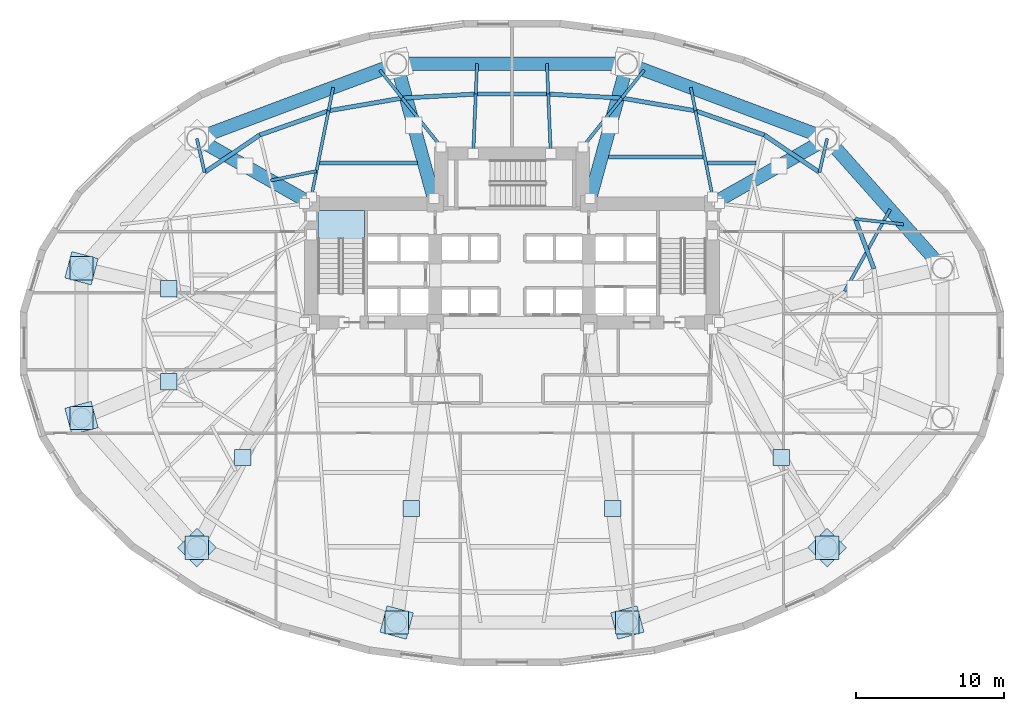
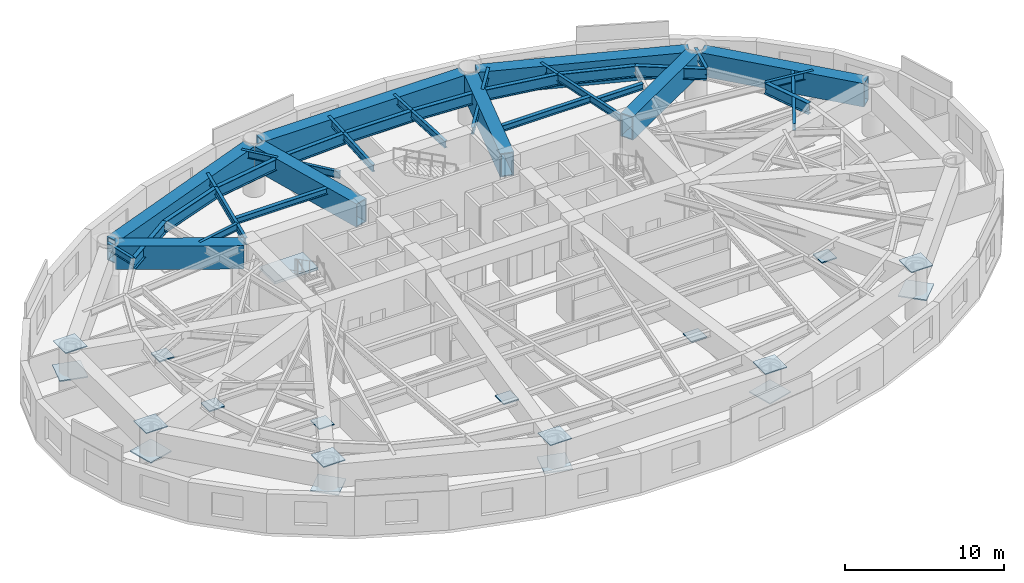
# One storey, part 3 of 14: 38 beams, 18 plates, 1 slab, 1 element without a shape of its own.
"""IFC4 building model written with IfcOpenShell, lengths in metres."""

import ifcopenshell
import ifcopenshell.guid

model = None  # the IFC model being written
_history = None  # IfcOwnerHistory: only IFC2X3 demands one
_inside = {}  # id of a spatial element -> (the spatial element, [elements in it])
_under = {}  # id of a project, library or spatial element -> (it, [spatial elements below it])
_declared = {}  # id of a project -> (the project, [libraries it declares])
_typed = {}  # id of a type object -> (the type object, [elements of that type])
_made_of = {}  # id of a material, layer set ... -> (it, [elements and type objects made of it])


def new_model(schema):
    """Start an empty IFC model of exactly this schema.

    Asked for "IFC4X3", IfcOpenShell would pick the latest addendum, in which some entities
    have other attributes; the version numbers below select the first issue.
    IFC2X3 requires an IfcOwnerHistory on every rooted entity: one is made here for all.
    """
    global model, _history
    if schema == "IFC4X3":
        model = ifcopenshell.file(schema_version=(4, 3, 0, 0))
    else:
        model = ifcopenshell.file(schema=schema)
    _inside.clear()
    _under.clear()
    _declared.clear()
    _typed.clear()
    _made_of.clear()
    _history = None
    if model.schema == "IFC2X3":
        org = make("IfcOrganization", Name="unknown")
        user = make(
            "IfcPersonAndOrganization",
            ThePerson=make("IfcPerson", FamilyName="unknown"),
            TheOrganization=org,
        )
        app = make(
            "IfcApplication",
            ApplicationDeveloper=org,
            Version="unknown",
            ApplicationFullName="unknown",
            ApplicationIdentifier="unknown",
        )
        _history = make(
            "IfcOwnerHistory",
            OwningUser=user,
            OwningApplication=app,
            ChangeAction="ADDED",
            CreationDate=0,
        )
    return model


def make(cls, **values):
    """One entity of the class cls with the attributes given. An attribute that is None is left unset."""
    return model.create_entity(
        cls, **{name: value for name, value in values.items() if value is not None}
    )


def rooted(cls, **values):
    """An entity with a GlobalId (a new one), such as an element, a storey or a relation."""
    return make(cls, GlobalId=ifcopenshell.guid.new(), OwnerHistory=_history, **values)


def si_unit(unit_type, name, prefix=None):
    """IfcSIUnit, for example si_unit("LENGTHUNIT", "METRE", prefix="MILLI")."""
    return make("IfcSIUnit", UnitType=unit_type, Prefix=prefix, Name=name)


def assignment(units):
    """IfcUnitAssignment: the units of a project."""
    return None if units is None else make("IfcUnitAssignment", Units=units)


def point(xyz):
    """IfcCartesianPoint."""
    return None if xyz is None else make("IfcCartesianPoint", Coordinates=xyz)


def direction(xyz):
    """IfcDirection."""
    return None if xyz is None else make("IfcDirection", DirectionRatios=xyz)


def frame(location, z_axis=None, x_axis=None):
    """IfcAxis2Placement3D, a coordinate frame: its origin and axes. An axis left out is left unset."""
    return make(
        "IfcAxis2Placement3D",
        Location=point(location),
        Axis=direction(z_axis),
        RefDirection=direction(x_axis),
    )


def frame_2d(location, x_axis=None):
    """IfcAxis2Placement2D, a coordinate frame in the plane: its origin and x axis."""
    return make(
        "IfcAxis2Placement2D", Location=point(location), RefDirection=direction(x_axis)
    )


def origin():
    """The frame at (0, 0, 0) with its axes left unset."""
    return frame((0.0, 0.0, 0.0))


def origin_2d():
    """The frame at (0, 0) in the plane with its x axis left unset."""
    return frame_2d((0.0, 0.0))


def place(relative_to, where):
    """IfcLocalPlacement: puts the frame where relative to a parent placement (None: the world)."""
    return make(
        "IfcLocalPlacement", PlacementRelTo=relative_to, RelativePlacement=where
    )


def context(
    kind, dimensions, precision=None, world=None, true_north=None, identifier=None
):
    """IfcGeometricRepresentationContext, for example the 3D "Model" context."""
    return make(
        "IfcGeometricRepresentationContext",
        ContextIdentifier=identifier,
        ContextType=kind,
        CoordinateSpaceDimension=dimensions,
        Precision=precision,
        WorldCoordinateSystem=world,
        TrueNorth=true_north,
    )


def subcontext(parent, identifier, kind, view, scale=None):
    """IfcGeometricRepresentationSubContext, for example "Body" below "Model"."""
    return make(
        "IfcGeometricRepresentationSubContext",
        ContextIdentifier=identifier,
        ContextType=kind,
        ParentContext=parent,
        TargetScale=scale,
        TargetView=view,
    )


def project(units=None, contexts=None):
    """IfcProject with its units and contexts."""
    return rooted(
        "IfcProject",
        Name="project",
        RepresentationContexts=contexts,
        UnitsInContext=assignment(units),
    )


def spatial(cls, under=None, at=None, **own):
    """A site, building, storey or space (cls), placed at a placement, below another one or the project."""
    s = rooted(cls, ObjectPlacement=at, **own)
    if under is not None:
        _under.setdefault(under.id(), (under, []))[1].append(s)
    return s


def polyline(points):
    """IfcPolyline through the points."""
    return make("IfcPolyline", Points=[point(p) for p in points])


def profile(cls, at=None, kind="AREA", **sizes):
    """A parametric profile (cls). Its sizes go by their IFC names, for example OverallWidth=200.0."""
    return make(cls, ProfileType=kind, Position=at, **sizes)


def rectangle(**sizes):
    """IfcRectangleProfileDef."""
    return profile("IfcRectangleProfileDef", **sizes)


def hollow_rectangle(**sizes):
    """IfcRectangleHollowProfileDef."""
    return profile("IfcRectangleHollowProfileDef", **sizes)


def i_section(**sizes):
    """IfcIShapeProfileDef."""
    return profile("IfcIShapeProfileDef", **sizes)


def outline(outer, holes=None, kind="AREA"):
    """IfcArbitraryClosedProfileDef: a profile drawn as a closed curve; with holes, ...WithVoids."""
    if holes is None:
        return make("IfcArbitraryClosedProfileDef", ProfileType=kind, OuterCurve=outer)
    return make(
        "IfcArbitraryProfileDefWithVoids",
        ProfileType=kind,
        OuterCurve=outer,
        InnerCurves=holes,
    )


def extrude(swept, where, along, depth):
    """IfcExtrudedAreaSolid: the profile swept, set in the frame where, extruded along a direction by depth."""
    return make(
        "IfcExtrudedAreaSolid",
        SweptArea=swept,
        Position=where,
        ExtrudedDirection=direction(along),
        Depth=depth,
    )


def shape(context_of_items, identifier, shape_type, items):
    """IfcShapeRepresentation: the items that make up one representation, for example the "Body"."""
    return make(
        "IfcShapeRepresentation",
        ContextOfItems=context_of_items,
        RepresentationIdentifier=identifier,
        RepresentationType=shape_type,
        Items=items,
    )


def material(Name=None, Category=None):
    """IfcMaterial."""
    return make("IfcMaterial", Name=Name, Category=Category)


def layer(
    of_material, thickness, ventilated=None, Name=None, Category=None, Priority=None
):
    """IfcMaterialLayer: one layer of a wall or slab, of a material (None: an air gap)."""
    return make(
        "IfcMaterialLayer",
        Material=of_material,
        LayerThickness=thickness,
        IsVentilated=ventilated,
        Name=Name,
        Category=Category,
        Priority=Priority,
    )


def layer_set(layers, Name=None):
    """IfcMaterialLayerSet."""
    return make("IfcMaterialLayerSet", MaterialLayers=layers, LayerSetName=Name)


def material_profile(
    of_material, cross_section, Name=None, Category=None, Priority=None
):
    """IfcMaterialProfile: a cross section and its material."""
    return make(
        "IfcMaterialProfile",
        Name=Name,
        Material=of_material,
        Profile=cross_section,
        Priority=Priority,
        Category=Category,
    )


def profile_set(profiles, Name=None, composite=None):
    """IfcMaterialProfileSet."""
    return make(
        "IfcMaterialProfileSet",
        Name=Name,
        MaterialProfiles=profiles,
        CompositeProfile=composite,
    )


def made_of(thing, what):
    """Note that an element or type object is made of a material, layer set ...; save() writes the relation."""
    if what is not None:
        _made_of.setdefault(what.id(), (what, []))[1].append(thing)
    return thing


def type_object(cls, material=None, **own):
    """A type object (cls), such as IfcWallType, which elements share."""
    return made_of(rooted(cls, **own), material)


def element(
    cls,
    number,
    at=None,
    inside=None,
    cuts=None,
    type_object=None,
    material=None,
    context=None,
    identifier="Body",
    shape_type=None,
    held_by="IfcProductDefinitionShape",
    body=None,
    shapes=None,
    **own,
):
    """One element of the class cls, such as IfcWall. Its Tag is "e" and its number.

    at: its placement. inside: the storey or other place that contains it. cuts: it is an
    opening in that element (IfcRelVoidsElement). A single representation is given by context,
    identifier, shape_type and body (its items); several are given by shapes. held_by: the class
    of the entity that holds the representations. save() writes the other relations.
    """
    e = rooted(cls, Tag="e%d" % number, ObjectPlacement=at, **own)
    if body is not None:
        shapes = [shape(context, identifier, shape_type, body)]
    if shapes is not None:
        e.Representation = make(held_by, Representations=shapes)
    if inside is not None:
        _inside.setdefault(inside.id(), (inside, []))[1].append(e)
    if cuts is not None:
        rooted(
            "IfcRelVoidsElement", RelatingBuildingElement=cuts, RelatedOpeningElement=e
        )
    if type_object is not None:
        _typed.setdefault(type_object.id(), (type_object, []))[1].append(e)
    return made_of(e, material)


def aggregate(whole, parts):
    """IfcRelAggregates: a whole, such as a stair, and the parts it consists of."""
    return rooted("IfcRelAggregates", RelatingObject=whole, RelatedObjects=parts)


def save(model, path):
    """Write the relations noted so far, then the file.

    IfcRelAggregates (storeys below a building ...), IfcRelContainedInSpatialStructure (elements
    in a storey), IfcRelDefinesByType, IfcRelAssociatesMaterial and IfcRelDeclares: one each for
    every whole, place, type object, material and project.
    """
    for whole, parts in _under.values():
        aggregate(whole, parts)
    for where, things in _inside.values():
        rooted(
            "IfcRelContainedInSpatialStructure",
            RelatedElements=things,
            RelatingStructure=where,
        )
    for kind, things in _typed.values():
        rooted("IfcRelDefinesByType", RelatedObjects=things, RelatingType=kind)
    for what, things in _made_of.values():
        rooted("IfcRelAssociatesMaterial", RelatedObjects=things, RelatingMaterial=what)
    for by, libraries in _declared.values():
        rooted("IfcRelDeclares", RelatingContext=by, RelatedDefinitions=libraries)
    model.write(path)


model = new_model("IFC4")

# Units and contexts
model_context = context("Model", 3, precision=1e-05, world=origin(), true_north=direction((0.0, 1.0)))
body_context = subcontext(model_context, "Body", "Model", "MODEL_VIEW")
ifc_project = project(units=[si_unit("LENGTHUNIT", "METRE"), si_unit("AREAUNIT", "SQUARE_METRE"), si_unit("VOLUMEUNIT", "CUBIC_METRE"), si_unit("PLANEANGLEUNIT", "RADIAN"), si_unit("MASSUNIT", "GRAM", prefix="KILO")], contexts=[model_context])

# Site, building, storey
site_placement = place(None, origin())
site = spatial("IfcSite", under=ifc_project, at=site_placement, CompositionType="ELEMENT")
building_placement = place(site_placement, origin())
building = spatial("IfcBuilding", under=site, at=building_placement, Name="Keldmark Tower", CompositionType="ELEMENT")
storey_placement = place(building_placement, frame((0.0, 0.0, 22.800048828125)))
storey = spatial("IfcBuildingStorey", under=building, at=storey_placement, Name="L05", CompositionType="ELEMENT", Elevation=22.800048828125)

# Beams
ifc_material_1 = material(Name="Steel ASTM A992 Grade 50", Category="steel")
ifc_material_profile_1 = material_profile(ifc_material_1, i_section(OverallWidth=0.280029296875, OverallDepth=0.462890625, WebThickness=0.0107421875, FlangeThickness=0.017333984375, at=origin_2d()), Name="W18X76")
ifc_profile_set_1 = profile_set([ifc_material_profile_1], Name="Steel ASTM A992 Grade 50")
beam_type_1 = type_object("IfcBeamType", Name="Composite Floor Joist W18X76", PredefinedType="JOIST", material=ifc_profile_set_1)
beam_1_placement = place(storey_placement, frame((-13.041748046875, 12.199951171875, 3.66845703125), z_axis=(1.0, 0.0, 0.0), x_axis=(0.0, 1.0, 0.0)))
element("IfcBeam", 1, at=beam_1_placement, inside=storey, type_object=beam_type_1, Name="L05 Composite Floor Joist J24", PredefinedType="JOIST", context=body_context, shape_type="SweptSolid", body=[
    extrude(i_section(OverallWidth=0.280029296875, OverallDepth=0.462890625, WebThickness=0.0107421875, FlangeThickness=0.017333984375, at=origin_2d()), origin(), (0.0, 0.0, 1.0), 6.625244140625),
])
beam_2_placement = place(storey_placement, frame((6.5322265625, 12.6201171875, 3.66845703125), z_axis=(1.0, 0.0, 0.0), x_axis=(0.0, 1.0, 0.0)))
element("IfcBeam", 2, at=beam_2_placement, inside=storey, type_object=beam_type_1, Name="L05 Composite Floor Joist J25", PredefinedType="JOIST", context=body_context, shape_type="SweptSolid", body=[
    extrude(i_section(OverallWidth=0.280029296875, OverallDepth=0.462890625, WebThickness=0.0107421875, FlangeThickness=0.017333984375, at=origin_2d()), origin(), (0.0, 0.0, 1.0), 6.42529296875),
])
beam_3_placement = place(storey_placement, frame((13.23779296875, 12.199951171875, 3.66845703125), z_axis=(1.0, 0.0, 0.0), x_axis=(0.0, 1.0, 0.0)))
element("IfcBeam", 3, at=beam_3_placement, inside=storey, type_object=beam_type_1, Name="L05 Composite Floor Joist J26", PredefinedType="JOIST", context=body_context, shape_type="SweptSolid", body=[
    extrude(i_section(OverallWidth=0.280029296875, OverallDepth=0.462890625, WebThickness=0.0107421875, FlangeThickness=0.017333984375, at=origin_2d()), origin(), (0.0, 0.0, 1.0), 3.3037109375),
])
ifc_material_2 = material(Name="Steel ASTM A572 Grade 50", Category="steel")
ifc_material_profile_2 = material_profile(ifc_material_2, hollow_rectangle(XDim=0.89990234375, YDim=1.800048828125, WallThickness=0.074951171875, at=origin_2d()), Name="TBOX1800X900X75")
ifc_profile_set_2 = profile_set([ifc_material_profile_2], Name="Steel ASTM A572 Grade 50")
beam_type_2 = type_object("IfcBeamType", Name="Perimeter Transfer Box Girder 1800x900", PredefinedType="USERDEFINED", material=ifc_profile_set_2)
beam_4_placement = place(storey_placement, frame((28.871826171875, 5.4091796875, 3.0), z_axis=(-0.66464984112, 0.747154996436, 0.0), x_axis=(-0.747154996436, -0.66464984112, 0.0)))
element("IfcBeam", 4, at=beam_4_placement, inside=storey, type_object=beam_type_2, Name="L05 Perimeter Transfer Ring Box Girder TRING-01", ObjectType="TRANSFER GIRDER", PredefinedType="USERDEFINED", context=body_context, shape_type="SweptSolid", body=[
    extrude(hollow_rectangle(XDim=0.89990234375, YDim=1.800048828125, WallThickness=0.074951171875, at=origin_2d()), origin(), (0.0, 0.0, 1.0), 10.85986328125),
])
beam_5_placement = place(storey_placement, frame((20.93310546875, 14.01708984375, 3.0), z_axis=(-0.936417954382, 0.350886612329, 0.0), x_axis=(-0.350886612329, -0.936417954382, 0.0)))
element("IfcBeam", 5, at=beam_5_placement, inside=storey, type_object=beam_type_2, Name="L05 Perimeter Transfer Ring Box Girder TRING-02", ObjectType="TRANSFER GIRDER", PredefinedType="USERDEFINED", context=body_context, shape_type="SweptSolid", body=[
    extrude(hollow_rectangle(XDim=0.89990234375, YDim=1.800048828125, WallThickness=0.074951171875, at=origin_2d()), origin(), (0.0, 0.0, 1.0), 13.557373046875),
])
beam_6_placement = place(storey_placement, frame((7.3662109375, 18.93212890625, 3.0), z_axis=(-1.0, 0.0, 0.0), x_axis=(0.0, -1.0, 0.0)))
element("IfcBeam", 6, at=beam_6_placement, inside=storey, type_object=beam_type_2, Name="L05 Perimeter Transfer Ring Box Girder TRING-03", ObjectType="TRANSFER GIRDER", PredefinedType="USERDEFINED", context=body_context, shape_type="SweptSolid", body=[
    extrude(hollow_rectangle(XDim=0.89990234375, YDim=1.800048828125, WallThickness=0.074951171875, at=origin_2d()), origin(), (0.0, 0.0, 1.0), 14.732421875),
])
beam_7_placement = place(storey_placement, frame((-8.23779296875, 18.774169921875, 3.0), z_axis=(-0.936417954382, -0.350886612329, 0.0), x_axis=(0.350886612329, -0.936417954382, 0.0)))
element("IfcBeam", 7, at=beam_7_placement, inside=storey, type_object=beam_type_2, Name="L05 Perimeter Transfer Ring Box Girder TRING-04", ObjectType="TRANSFER GIRDER", PredefinedType="USERDEFINED", context=body_context, shape_type="SweptSolid", body=[
    extrude(hollow_rectangle(XDim=0.89990234375, YDim=1.800048828125, WallThickness=0.074951171875, at=origin_2d()), origin(), (0.0, 0.0, 1.0), 13.557373046875),
])
beam_8_placement = place(storey_placement, frame((20.96337890625, 13.636962890625, 3.0), z_axis=(-0.869293918493, -0.494295542434, 0.0), x_axis=(0.494295542434, -0.869293918493, 0.0)))
element("IfcBeam", 8, at=beam_8_placement, inside=storey, type_object=beam_type_2, Name="L05 Primary Transfer Box Girder TB-TC-E4", ObjectType="TRANSFER GIRDER", PredefinedType="USERDEFINED", context=body_context, shape_type="SweptSolid", body=[
    extrude(hollow_rectangle(XDim=0.89990234375, YDim=1.800048828125, WallThickness=0.074951171875, at=origin_2d()), origin(), (0.0, 0.0, 1.0), 8.120361328125),
])
for number, where, z_axis, x_axis, name in (
    (9, (7.696533203125, 18.498291015625, 3.0), (-0.265960165124, -0.963984019871, 0.0), (0.963984019871, -0.265960165124, 0.0), "L05 Primary Transfer Box Girder TB-TC-N2"),
    (10, (-7.696533203125, 18.498291015625, 3.0), (0.265960165124, -0.963984019871, 0.0), (0.963984019871, 0.265960165124, 0.0), "L05 Primary Transfer Box Girder TB-TC-N1"),
):
    element("IfcBeam", number, at=place(storey_placement, frame(where, z_axis=z_axis, x_axis=x_axis)), inside=storey, type_object=beam_type_2, Name=name, ObjectType="TRANSFER GIRDER", PredefinedType="USERDEFINED", context=body_context, shape_type="SweptSolid", body=[
        extrude(hollow_rectangle(XDim=0.89990234375, YDim=1.800048828125, WallThickness=0.074951171875, at=origin_2d()), origin(), (0.0, 0.0, 1.0), 9.036376953125),
    ])
beam_9_placement = place(storey_placement, frame((-20.96337890625, 13.636962890625, 3.0), z_axis=(0.869293918493, -0.494295542434, 0.0), x_axis=(0.494295542434, 0.869293918493, 0.0)))
element("IfcBeam", 11, at=beam_9_placement, inside=storey, type_object=beam_type_2, Name="L05 Primary Transfer Box Girder TB-TC-W4", ObjectType="TRANSFER GIRDER", PredefinedType="USERDEFINED", context=body_context, shape_type="SweptSolid", body=[
    extrude(hollow_rectangle(XDim=0.89990234375, YDim=1.800048828125, WallThickness=0.074951171875, at=origin_2d()), origin(), (0.0, 0.0, 1.0), 8.120361328125),
])
ifc_material_3 = material(Name="Steel ASTM A992 Grade 50", Category="steel")
ifc_material_profile_3 = material_profile(ifc_material_3, i_section(OverallWidth=0.2099609375, OverallDepth=0.537109375, WebThickness=0.010986328125, FlangeThickness=0.017333984375, at=origin_2d()), Name="W21X68")
ifc_profile_set_3 = profile_set([ifc_material_profile_3], Name="Steel ASTM A992 Grade 50")
beam_type_3 = type_object("IfcBeamType", Name="Radial Tie Girder W21X68", PredefinedType="BEAM", material=ifc_profile_set_3)
beam_10_placement = place(storey_placement, frame((25.623779296875, 9.060302734375, 3.63134765625), z_axis=(-0.485025529819, -0.874499991666, 0.0), x_axis=(0.874499991666, -0.485025529819, 0.0)))
element("IfcBeam", 12, at=beam_10_placement, inside=storey, type_object=beam_type_3, Name="L05 Framing Pin Header PH-002", PredefinedType="BEAM", context=body_context, shape_type="SweptSolid", body=[
    extrude(i_section(OverallWidth=0.2099609375, OverallDepth=0.537109375, WebThickness=0.010986328125, FlangeThickness=0.017333984375, at=origin_2d()), origin(), (0.0, 0.0, 1.0), 6.346923828125),
])
beam_11_placement = place(storey_placement, frame((23.256103515625, 8.41455078125, 3.63134765625), z_axis=(0.993735334561, -0.111759048155, 0.0), x_axis=(0.111759048155, 0.993735334561, 0.0)))
element("IfcBeam", 13, at=beam_11_placement, inside=storey, type_object=beam_type_3, Name="L05 Podium Overhang Tie Girder RT-03X", PredefinedType="BEAM", context=body_context, shape_type="SweptSolid", body=[
    extrude(i_section(OverallWidth=0.2099609375, OverallDepth=0.537109375, WebThickness=0.010986328125, FlangeThickness=0.017333984375, at=origin_2d()), origin(), (0.0, 0.0, 1.0), 3.289794921875),
])
beam_12_placement = place(storey_placement, frame((21.3544921875, 13.859375, 3.63134765625), z_axis=(-0.222768270386, -0.974871426245, 0.0), x_axis=(0.974871426245, -0.222768270386, 0.0)))
element("IfcBeam", 14, at=beam_12_placement, inside=storey, type_object=beam_type_3, Name="L05 Perimeter Column Bracket RT-04", PredefinedType="BEAM", context=body_context, shape_type="SweptSolid", body=[
    extrude(i_section(OverallWidth=0.2099609375, OverallDepth=0.537109375, WebThickness=0.010986328125, FlangeThickness=0.017333984375, at=origin_2d()), origin(), (0.0, 0.0, 1.0), 2.34521484375),
])
beam_13_placement = place(storey_placement, frame((13.60009765625, 9.89990234375, 3.63134765625), z_axis=(-0.196257960744, 0.980552299903, 0.0), x_axis=(-0.980552299903, -0.196257960744, 0.0)))
element("IfcBeam", 15, at=beam_13_placement, inside=storey, type_object=beam_type_3, Name="L05 Perimeter Radial Tie Girder RT-06", PredefinedType="BEAM", context=body_context, shape_type="SweptSolid", body=[
    extrude(i_section(OverallWidth=0.2099609375, OverallDepth=0.537109375, WebThickness=0.010986328125, FlangeThickness=0.017333984375, at=origin_2d()), origin(), (0.0, 0.0, 1.0), 5.958740234375),
])
beam_14_placement = place(storey_placement, frame((12.4306640625, 15.74267578125, 3.63134765625), z_axis=(-0.196203610703, 0.98056317652, 0.0), x_axis=(-0.98056317652, -0.196203610703, 0.0)))
element("IfcBeam", 16, at=beam_14_placement, inside=storey, type_object=beam_type_3, Name="L05 Podium Overhang Tie Girder RT-06X", PredefinedType="BEAM", context=body_context, shape_type="SweptSolid", body=[
    extrude(i_section(OverallWidth=0.2099609375, OverallDepth=0.537109375, WebThickness=0.010986328125, FlangeThickness=0.017333984375, at=origin_2d()), origin(), (0.0, 0.0, 1.0), 1.610107421875),
])
beam_15_placement = place(storey_placement, frame((4.800048828125, 13.300048828125, 3.63134765625), z_axis=(0.624392193617, 0.781110996306, 0.0), x_axis=(-0.781110996306, 0.624392193617, 0.0)))
element("IfcBeam", 17, at=beam_15_placement, inside=storey, type_object=beam_type_3, Name="L05 Perimeter Radial Tie Girder RT-07", PredefinedType="BEAM", context=body_context, shape_type="SweptSolid", body=[
    extrude(i_section(OverallWidth=0.2099609375, OverallDepth=0.537109375, WebThickness=0.010986328125, FlangeThickness=0.017333984375, at=origin_2d()), origin(), (0.0, 0.0, 1.0), 4.22802734375),
])
beam_16_placement = place(storey_placement, frame((7.43994140625, 16.6025390625, 3.63134765625), z_axis=(0.62441365694, 0.78109383881, 0.0), x_axis=(-0.78109383881, 0.62441365694, 0.0)))
element("IfcBeam", 18, at=beam_16_placement, inside=storey, type_object=beam_type_3, Name="L05 Podium Overhang Tie Girder RT-07X", PredefinedType="BEAM", context=body_context, shape_type="SweptSolid", body=[
    extrude(i_section(OverallWidth=0.2099609375, OverallDepth=0.537109375, WebThickness=0.010986328125, FlangeThickness=0.017333984375, at=origin_2d()), origin(), (0.0, 0.0, 1.0), 2.433837890625),
])
beam_17_placement = place(storey_placement, frame((2.625, 12.85009765625, 3.63134765625), z_axis=(-0.04211192099, 0.999112899582, 0.0), x_axis=(-0.999112899582, -0.04211192099, 0.0)))
element("IfcBeam", 19, at=beam_17_placement, inside=storey, type_object=beam_type_3, Name="L05 Perimeter Radial Tie Girder RT-08", PredefinedType="BEAM", context=body_context, shape_type="SweptSolid", body=[
    extrude(i_section(OverallWidth=0.2099609375, OverallDepth=0.537109375, WebThickness=0.010986328125, FlangeThickness=0.017333984375, at=origin_2d()), origin(), (0.0, 0.0, 1.0), 4.029296875),
])
beam_18_placement = place(storey_placement, frame((2.455322265625, 16.875732421875, 3.63134765625), z_axis=(-0.041990712618, 0.999118001066, 0.0), x_axis=(-0.999118001066, -0.041990712618, 0.0)))
element("IfcBeam", 20, at=beam_18_placement, inside=storey, type_object=beam_type_3, Name="L05 Podium Overhang Tie Girder RT-08X", PredefinedType="BEAM", context=body_context, shape_type="SweptSolid", body=[
    extrude(i_section(OverallWidth=0.2099609375, OverallDepth=0.537109375, WebThickness=0.010986328125, FlangeThickness=0.017333984375, at=origin_2d()), origin(), (0.0, 0.0, 1.0), 2.05810546875),
])
beam_19_placement = place(storey_placement, frame((-2.625, 12.85009765625, 3.63134765625), z_axis=(0.04211192099, 0.999112899582, 0.0), x_axis=(-0.999112899582, 0.04211192099, 0.0)))
element("IfcBeam", 21, at=beam_19_placement, inside=storey, type_object=beam_type_3, Name="L05 Perimeter Radial Tie Girder RT-09", PredefinedType="BEAM", context=body_context, shape_type="SweptSolid", body=[
    extrude(i_section(OverallWidth=0.2099609375, OverallDepth=0.537109375, WebThickness=0.010986328125, FlangeThickness=0.017333984375, at=origin_2d()), origin(), (0.0, 0.0, 1.0), 4.029296875),
])
beam_20_placement = place(storey_placement, frame((-2.455322265625, 16.875732421875, 3.63134765625), z_axis=(0.041990712618, 0.999118001066, 0.0), x_axis=(-0.999118001066, 0.041990712618, 0.0)))
element("IfcBeam", 22, at=beam_20_placement, inside=storey, type_object=beam_type_3, Name="L05 Podium Overhang Tie Girder RT-09X", PredefinedType="BEAM", context=body_context, shape_type="SweptSolid", body=[
    extrude(i_section(OverallWidth=0.2099609375, OverallDepth=0.537109375, WebThickness=0.010986328125, FlangeThickness=0.017333984375, at=origin_2d()), origin(), (0.0, 0.0, 1.0), 2.05810546875),
])
beam_21_placement = place(storey_placement, frame((-4.800048828125, 13.300048828125, 3.63134765625), z_axis=(-0.624392193617, 0.781110996306, 0.0), x_axis=(-0.781110996306, -0.624392193617, 0.0)))
element("IfcBeam", 23, at=beam_21_placement, inside=storey, type_object=beam_type_3, Name="L05 Perimeter Radial Tie Girder RT-10", PredefinedType="BEAM", context=body_context, shape_type="SweptSolid", body=[
    extrude(i_section(OverallWidth=0.2099609375, OverallDepth=0.537109375, WebThickness=0.010986328125, FlangeThickness=0.017333984375, at=origin_2d()), origin(), (0.0, 0.0, 1.0), 4.22802734375),
])
beam_22_placement = place(storey_placement, frame((-7.43994140625, 16.6025390625, 3.63134765625), z_axis=(-0.62441365694, 0.78109383881, 0.0), x_axis=(-0.78109383881, -0.62441365694, 0.0)))
element("IfcBeam", 24, at=beam_22_placement, inside=storey, type_object=beam_type_3, Name="L05 Podium Overhang Tie Girder RT-10X", PredefinedType="BEAM", context=body_context, shape_type="SweptSolid", body=[
    extrude(i_section(OverallWidth=0.2099609375, OverallDepth=0.537109375, WebThickness=0.010986328125, FlangeThickness=0.017333984375, at=origin_2d()), origin(), (0.0, 0.0, 1.0), 2.433837890625),
])
beam_23_placement = place(storey_placement, frame((-13.60009765625, 9.89990234375, 3.63134765625), z_axis=(0.196257960744, 0.980552299903, 0.0), x_axis=(-0.980552299903, 0.196257960744, 0.0)))
element("IfcBeam", 25, at=beam_23_placement, inside=storey, type_object=beam_type_3, Name="L05 Perimeter Radial Tie Girder RT-11", PredefinedType="BEAM", context=body_context, shape_type="SweptSolid", body=[
    extrude(i_section(OverallWidth=0.2099609375, OverallDepth=0.537109375, WebThickness=0.010986328125, FlangeThickness=0.017333984375, at=origin_2d()), origin(), (0.0, 0.0, 1.0), 5.958740234375),
])
beam_24_placement = place(storey_placement, frame((-12.4306640625, 15.74267578125, 3.63134765625), z_axis=(0.196203610703, 0.98056317652, 0.0), x_axis=(-0.98056317652, 0.196203610703, 0.0)))
element("IfcBeam", 26, at=beam_24_placement, inside=storey, type_object=beam_type_3, Name="L05 Podium Overhang Tie Girder RT-11X", PredefinedType="BEAM", context=body_context, shape_type="SweptSolid", body=[
    extrude(i_section(OverallWidth=0.2099609375, OverallDepth=0.537109375, WebThickness=0.010986328125, FlangeThickness=0.017333984375, at=origin_2d()), origin(), (0.0, 0.0, 1.0), 1.610107421875),
])
beam_25_placement = place(storey_placement, frame((-13.249267578125, 11.65283203125, 3.63134765625), z_axis=(-0.979736908322, -0.200288767713, 0.0), x_axis=(0.200288767713, -0.979736908322, 0.0)))
element("IfcBeam", 27, at=beam_25_placement, inside=storey, type_object=beam_type_3, Name="L05 Framing Pin Header PH-004", PredefinedType="BEAM", context=body_context, shape_type="SweptSolid", body=[
    extrude(i_section(OverallWidth=0.2099609375, OverallDepth=0.537109375, WebThickness=0.010986328125, FlangeThickness=0.017333984375, at=origin_2d()), origin(), (0.0, 0.0, 1.0), 3.171630859375),
])
beam_26_placement = place(storey_placement, frame((-21.3544921875, 13.859375, 3.63134765625), z_axis=(0.222768270386, -0.974871426245, 0.0), x_axis=(0.974871426245, 0.222768270386, 0.0)))
element("IfcBeam", 28, at=beam_26_placement, inside=storey, type_object=beam_type_3, Name="L05 Perimeter Column Bracket RT-13", PredefinedType="BEAM", context=body_context, shape_type="SweptSolid", body=[
    extrude(i_section(OverallWidth=0.2099609375, OverallDepth=0.537109375, WebThickness=0.010986328125, FlangeThickness=0.017333984375, at=origin_2d()), origin(), (0.0, 0.0, 1.0), 2.34521484375),
])
ifc_material_4 = material(Name="Steel ASTM A992 Grade 50", Category="steel")
ifc_material_profile_4 = material_profile(ifc_material_4, i_section(OverallWidth=0.2919921875, OverallDepth=0.85888671875, WebThickness=0.01708984375, FlangeThickness=0.031005859375, at=origin_2d()), Name="W33X169")
ifc_profile_set_4 = profile_set([ifc_material_profile_4], Name="Steel ASTM A992 Grade 50")
beam_type_4 = type_object("IfcBeamType", Name="Spandrel Ring Beam W33X169", PredefinedType="SPANDREL", material=ifc_profile_set_4)
beam_27_placement = place(storey_placement, frame((24.526611328125, 5.036376953125, 3.470458984375), z_axis=(-0.352020260699, 0.935992380341, 0.0), x_axis=(-0.935992380341, -0.352020260699, 0.0)))
element("IfcBeam", 29, at=beam_27_placement, inside=storey, type_object=beam_type_4, Name="L05 Perimeter Spandrel Ring Beam SRB-02", PredefinedType="SPANDREL", context=body_context, shape_type="SweptSolid", body=[
    extrude(i_section(OverallWidth=0.2919921875, OverallDepth=0.85888671875, WebThickness=0.01708984375, FlangeThickness=0.031005859375, at=origin_2d()), origin(), (0.0, 0.0, 1.0), 3.609130859375),
])
beam_28_placement = place(storey_placement, frame((20.83203125, 11.572998046875, 3.470458984375), z_axis=(-0.828099422664, 0.560581257431, 0.0), x_axis=(-0.560581257431, -0.828099422664, 0.0)))
element("IfcBeam", 30, at=beam_28_placement, inside=storey, type_object=beam_type_4, Name="L05 Perimeter Spandrel Ring Beam SRB-04", PredefinedType="SPANDREL", context=body_context, shape_type="SweptSolid", body=[
    extrude(i_section(OverallWidth=0.2919921875, OverallDepth=0.85888671875, WebThickness=0.01708984375, FlangeThickness=0.031005859375, at=origin_2d()), origin(), (0.0, 0.0, 1.0), 4.510986328125),
])
beam_29_placement = place(storey_placement, frame((17.096435546875, 14.101806640625, 3.470458984375), z_axis=(-0.94336246541, 0.331763860082, 0.0), x_axis=(-0.331763860082, -0.94336246541, 0.0)))
element("IfcBeam", 31, at=beam_29_placement, inside=storey, type_object=beam_type_4, Name="L05 Perimeter Spandrel Ring Beam SRB-05", PredefinedType="SPANDREL", context=body_context, shape_type="SweptSolid", body=[
    extrude(i_section(OverallWidth=0.2919921875, OverallDepth=0.85888671875, WebThickness=0.01708984375, FlangeThickness=0.031005859375, at=origin_2d()), origin(), (0.0, 0.0, 1.0), 4.94580078125),
])
beam_30_placement = place(storey_placement, frame((12.4306640625, 15.74267578125, 3.470458984375), z_axis=(-0.985480149415, 0.169790680278, 0.0), x_axis=(-0.169790680278, -0.985480149415, 0.0)))
element("IfcBeam", 32, at=beam_30_placement, inside=storey, type_object=beam_type_4, Name="L05 Perimeter Spandrel Ring Beam SRB-06", PredefinedType="SPANDREL", context=body_context, shape_type="SweptSolid", body=[
    extrude(i_section(OverallWidth=0.2919921875, OverallDepth=0.85888671875, WebThickness=0.01708984375, FlangeThickness=0.031005859375, at=origin_2d()), origin(), (0.0, 0.0, 1.0), 5.064208984375),
])
beam_31_placement = place(storey_placement, frame((7.43994140625, 16.6025390625, 3.470458984375), z_axis=(-0.998501456853, 0.054725137396, 0.0), x_axis=(-0.054725137396, -0.998501456853, 0.0)))
element("IfcBeam", 33, at=beam_31_placement, inside=storey, type_object=beam_type_4, Name="L05 Perimeter Spandrel Ring Beam SRB-07", PredefinedType="SPANDREL", context=body_context, shape_type="SweptSolid", body=[
    extrude(i_section(OverallWidth=0.2919921875, OverallDepth=0.85888671875, WebThickness=0.01708984375, FlangeThickness=0.031005859375, at=origin_2d()), origin(), (0.0, 0.0, 1.0), 4.9921875),
])
beam_32_placement = place(storey_placement, frame((2.455322265625, 16.875732421875, 3.470458984375), z_axis=(-1.0, 0.0, 0.0), x_axis=(0.0, -1.0, 0.0)))
element("IfcBeam", 34, at=beam_32_placement, inside=storey, type_object=beam_type_4, Name="L05 Perimeter Spandrel Ring Beam SRB-08", PredefinedType="SPANDREL", context=body_context, shape_type="SweptSolid", body=[
    extrude(i_section(OverallWidth=0.2919921875, OverallDepth=0.85888671875, WebThickness=0.01708984375, FlangeThickness=0.031005859375, at=origin_2d()), origin(), (0.0, 0.0, 1.0), 4.91064453125),
])
beam_33_placement = place(storey_placement, frame((-2.455322265625, 16.875732421875, 3.470458984375), z_axis=(-0.998501456853, -0.054725137396, 0.0), x_axis=(0.054725137396, -0.998501456853, 0.0)))
element("IfcBeam", 35, at=beam_33_placement, inside=storey, type_object=beam_type_4, Name="L05 Perimeter Spandrel Ring Beam SRB-09", PredefinedType="SPANDREL", context=body_context, shape_type="SweptSolid", body=[
    extrude(i_section(OverallWidth=0.2919921875, OverallDepth=0.85888671875, WebThickness=0.01708984375, FlangeThickness=0.031005859375, at=origin_2d()), origin(), (0.0, 0.0, 1.0), 4.9921875),
])
beam_34_placement = place(storey_placement, frame((-7.43994140625, 16.6025390625, 3.470458984375), z_axis=(-0.985480149415, -0.169790680278, 0.0), x_axis=(0.169790680278, -0.985480149415, 0.0)))
element("IfcBeam", 36, at=beam_34_placement, inside=storey, type_object=beam_type_4, Name="L05 Perimeter Spandrel Ring Beam SRB-10", PredefinedType="SPANDREL", context=body_context, shape_type="SweptSolid", body=[
    extrude(i_section(OverallWidth=0.2919921875, OverallDepth=0.85888671875, WebThickness=0.01708984375, FlangeThickness=0.031005859375, at=origin_2d()), origin(), (0.0, 0.0, 1.0), 5.064208984375),
])
beam_35_placement = place(storey_placement, frame((-12.4306640625, 15.74267578125, 3.470458984375), z_axis=(-0.94336246541, -0.331763860082, 0.0), x_axis=(0.331763860082, -0.94336246541, 0.0)))
element("IfcBeam", 37, at=beam_35_placement, inside=storey, type_object=beam_type_4, Name="L05 Perimeter Spandrel Ring Beam SRB-11", PredefinedType="SPANDREL", context=body_context, shape_type="SweptSolid", body=[
    extrude(i_section(OverallWidth=0.2919921875, OverallDepth=0.85888671875, WebThickness=0.01708984375, FlangeThickness=0.031005859375, at=origin_2d()), origin(), (0.0, 0.0, 1.0), 4.94580078125),
])
beam_36_placement = place(storey_placement, frame((-17.096435546875, 14.101806640625, 3.470458984375), z_axis=(-0.828099422664, -0.560581257431, 0.0), x_axis=(0.560581257431, -0.828099422664, 0.0)))
element("IfcBeam", 38, at=beam_36_placement, inside=storey, type_object=beam_type_4, Name="L05 Perimeter Spandrel Ring Beam SRB-12", PredefinedType="SPANDREL", context=body_context, shape_type="SweptSolid", body=[
    extrude(i_section(OverallWidth=0.2919921875, OverallDepth=0.85888671875, WebThickness=0.01708984375, FlangeThickness=0.031005859375, at=origin_2d()), origin(), (0.0, 0.0, 1.0), 4.510986328125),
])

# Plates
ifc_material_5 = material(Name="Steel ASTM A572 Grade 50", Category="steel")
ifc_layer_1 = layer(ifc_material_5, 0.070068359375)
ifc_layer_set_1 = layer_set([ifc_layer_1], Name="Steel ASTM A572 Grade 50")
plate_type_1 = type_object("IfcPlateType", Name="Pilotis Top Cap Plate BP02 70 mm", PredefinedType="USERDEFINED", material=ifc_layer_set_1)
for number, where, z_axis, x_axis, name in (
    (39, (-29.1708984375, 5.072998046875, 4.1298828125), (0.0, 0.0, 1.0), (1.0, 0.0, 0.0), "L05 Pilotis Transfer Cap Plate MC-06"),
    (40, (-29.1708984375, -5.072998046875, 4.1298828125), (0.0, 0.0, 1.0), (1.0, 0.0, 0.0), "L05 Pilotis Transfer Cap Plate MC-07"),
    (41, (-21.3544921875, -13.859375, 4.1298828125), (0.0, 0.0, 1.0), (1.0, 0.0, 0.0), "L05 Pilotis Transfer Cap Plate MC-08"),
    (42, (-7.81640625, -18.93212890625, 4.1298828125), (0.0, 0.0, 1.0), (1.0, 0.0, 0.0), "L05 Pilotis Transfer Cap Plate MC-09"),
    (43, (7.81640625, -18.93212890625, 4.1298828125), (0.0, 0.0, 1.0), (1.0, 0.0, 0.0), "L05 Pilotis Transfer Cap Plate MC-10"),
    (44, (21.3544921875, -13.859375, 4.1298828125), (0.0, 0.0, 1.0), (1.0, 0.0, 0.0), "L05 Pilotis Transfer Cap Plate MC-11"),
):
    element("IfcPlate", number, at=place(storey_placement, frame(where, z_axis=z_axis, x_axis=x_axis)), inside=storey, type_object=plate_type_1, Name=name, ObjectType="CAP PLATE", PredefinedType="USERDEFINED", context=body_context, shape_type="SweptSolid", body=[
        extrude(rectangle(XDim=1.580078125, YDim=1.580078125, at=origin_2d()), origin(), (0.0, 0.0, 1.0), 0.070068359375),
    ])

# Stair, slab
ifc_material_6 = material(Name="Concrete C40/50", Category="concrete")
stair_type = type_object("IfcStairType", Name="Precast Concrete Core Exit Stair", PredefinedType="HALF_TURN_STAIR", material=ifc_material_6)
stair_placement = place(storey_placement, origin())
stair = element("IfcStair", 45, at=stair_placement, inside=storey, type_object=stair_type, Name="L05 Exit Stair ST1", PredefinedType="HALF_TURN_STAIR")
ifc_material_7 = material(Name="Concrete C40/50", Category="concrete")
ifc_layer_2 = layer(ifc_material_7, 0.199951171875)
ifc_layer_set_2 = layer_set([ifc_layer_2], Name="Concrete C40/50")
slab_type = type_object("IfcSlabType", Name="Reinforced Concrete Stair Landing 200 mm", PredefinedType="LANDING", material=ifc_layer_set_2)
slab_placement = place(storey_placement, frame((0.0, 0.0, 1.89990234375)))
slab = element("IfcSlab", 46, at=slab_placement, type_object=slab_type, Name="ST1 landing 1", PredefinedType="LANDING", context=body_context, shape_type="SweptSolid", body=[
    extrude(outline(polyline([(-10.0, 7.070068359375), (-10.0, 9.0), (-13.14990234375, 9.0), (-13.14990234375, 7.070068359375), (-10.0, 7.070068359375)])), origin(), (0.0, 0.0, 1.0), 0.199951171875),
])
aggregate(stair, [slab])

# Plates
ifc_material_8 = material(Name="Steel ASTM A572 Grade 50", Category="steel")
ifc_layer_3 = layer(ifc_material_8, 0.0849609375)
ifc_layer_set_3 = layer_set([ifc_layer_3], Name="Steel ASTM A572 Grade 50")
plate_type_2 = type_object("IfcPlateType", Name="Transfer Ring Node Assembly TN01 85 mm", PredefinedType="USERDEFINED", material=ifc_layer_set_3)
for number, where, z_axis, x_axis, name in (
    (47, (-29.1708984375, 5.072998046875, 2.014892578125), (0.0, 0.0, 1.0), (-0.965925826289, 0.258819045103, 0.0), "L05 Transfer Ring Node Assembly TN01-06"),
    (48, (-29.1708984375, -5.072998046875, 2.014892578125), (0.0, 0.0, 1.0), (-0.965925826289, -0.258819045103, 0.0), "L05 Transfer Ring Node Assembly TN01-07"),
    (49, (-21.3544921875, -13.859375, 2.014892578125), (0.0, 0.0, 1.0), (-0.707106781187, -0.707106781187, 0.0), "L05 Transfer Ring Node Assembly TN01-08"),
    (50, (-7.81640625, -18.93212890625, 2.014892578125), (0.0, 0.0, 1.0), (-0.258819045103, -0.965925826289, 0.0), "L05 Transfer Ring Node Assembly TN01-09"),
    (51, (7.81640625, -18.93212890625, 2.014892578125), (0.0, 0.0, 1.0), (0.258819045103, -0.965925826289, 0.0), "L05 Transfer Ring Node Assembly TN01-10"),
    (52, (21.3544921875, -13.859375, 2.014892578125), (0.0, 0.0, 1.0), (0.707106781187, -0.707106781187, 0.0), "L05 Transfer Ring Node Assembly TN01-11"),
):
    element("IfcPlate", number, at=place(storey_placement, frame(where, z_axis=z_axis, x_axis=x_axis)), inside=storey, type_object=plate_type_2, Name=name, ObjectType="CAP PLATE", PredefinedType="USERDEFINED", context=body_context, shape_type="SweptSolid", body=[
        extrude(rectangle(XDim=1.85009765625, YDim=1.85009765625, at=origin_2d()), origin(), (0.0, 0.0, 1.0), 0.0849609375),
    ])
for number, where, z_axis, x_axis, name in (
    (53, (-23.25390625, 3.67724609375, 2.014892578125), (0.0, 0.0, 1.0), (1.0, 0.0, 0.0), "L05 Transfer Column Seat Node TC-W1"),
    (54, (-23.25390625, -2.61328125, 2.014892578125), (0.0, 0.0, 1.0), (1.0, 0.0, 0.0), "L05 Transfer Column Seat Node TC-W5"),
    (55, (-18.252685546875, -7.755615234375, 2.014892578125), (0.0, 0.0, 1.0), (1.0, 0.0, 0.0), "L05 Transfer Column Seat Node TC-W2"),
    (56, (-6.822021484375, -11.205810546875, 2.014892578125), (0.0, 0.0, 1.0), (1.0, 0.0, 0.0), "L05 Transfer Column Seat Node TC-W3"),
    (57, (6.822021484375, -11.205810546875, 2.014892578125), (0.0, 0.0, 1.0), (1.0, 0.0, 0.0), "L05 Transfer Column Seat Node TC-E3"),
    (58, (18.252685546875, -7.755615234375, 2.014892578125), (0.0, 0.0, 1.0), (1.0, 0.0, 0.0), "L05 Transfer Column Seat Node TC-E2"),
):
    element("IfcPlate", number, at=place(storey_placement, frame(where, z_axis=z_axis, x_axis=x_axis)), inside=storey, type_object=plate_type_2, Name=name, ObjectType="CAP PLATE", PredefinedType="USERDEFINED", context=body_context, shape_type="SweptSolid", body=[
        extrude(rectangle(XDim=1.10009765625, YDim=1.10009765625, at=origin_2d()), origin(), (0.0, 0.0, 1.0), 0.0849609375),
    ])

save(model, "model.ifc")
